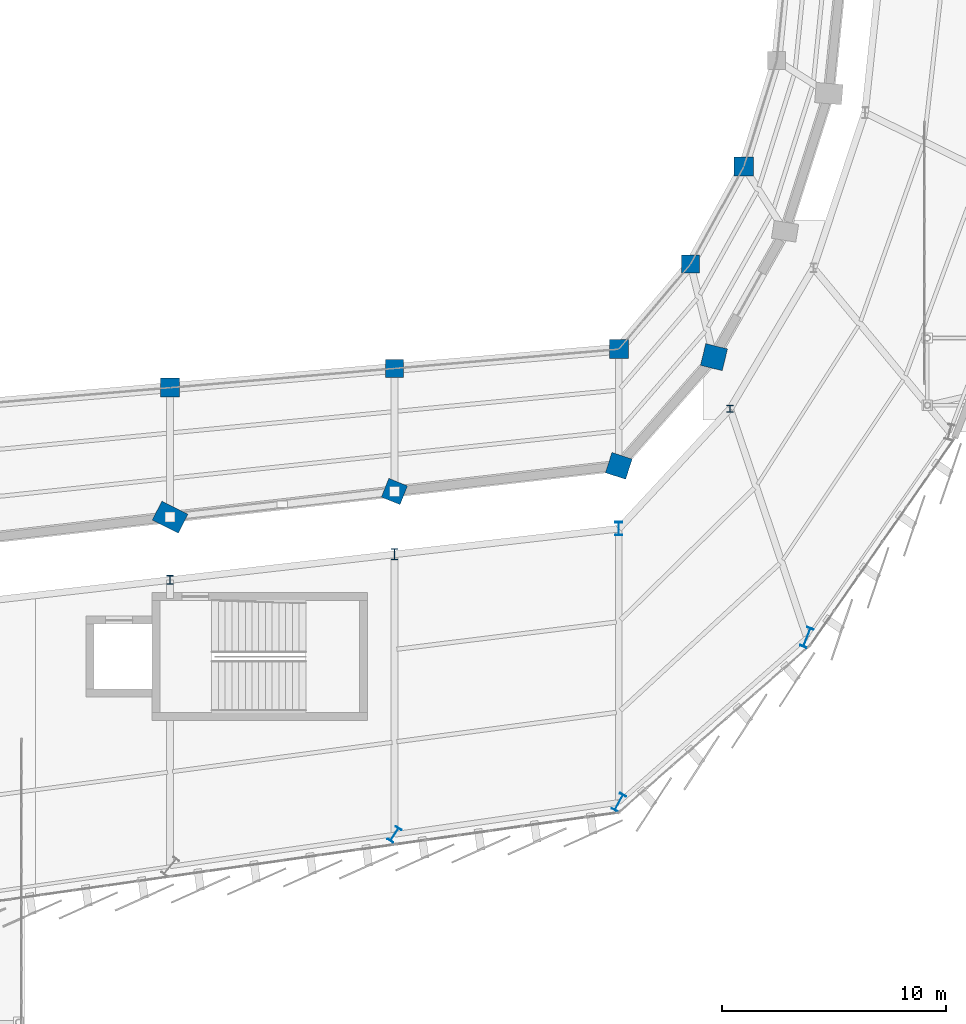
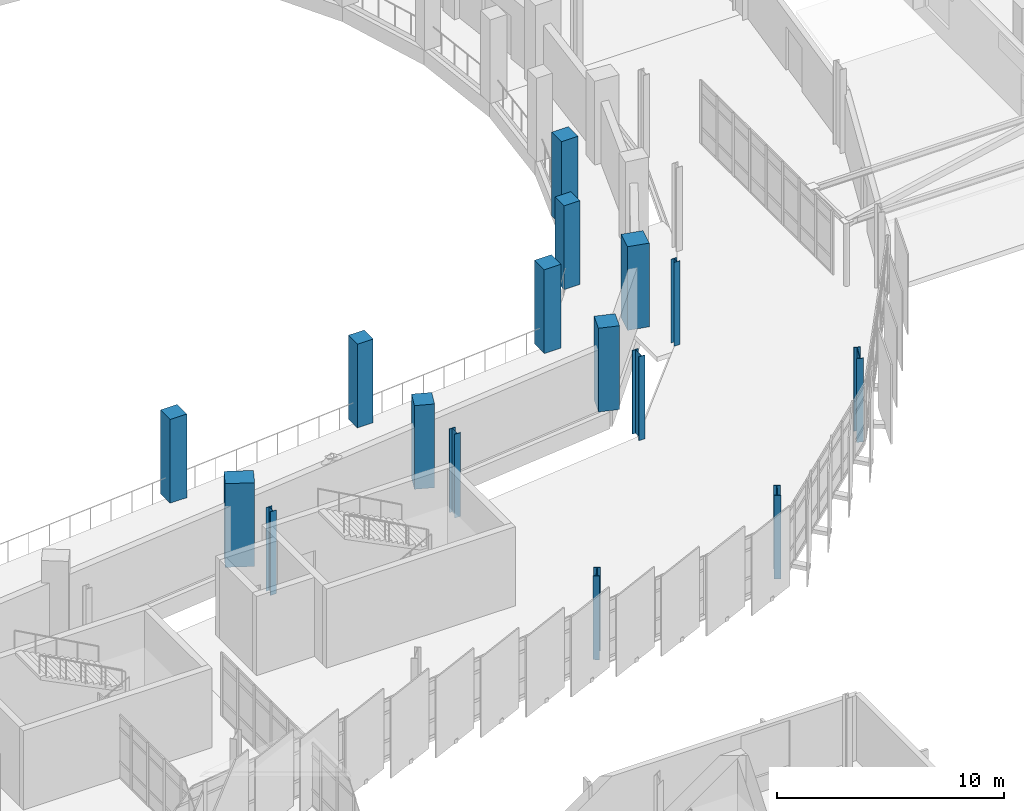
# One storey, part 19 of 125: 16 columns.
"""IFC4 building model written with IfcOpenShell, lengths in metres."""

from ifc_helpers import new_model, si_unit, direction, frame, origin, origin_2d, place, context, subcontext, project, spatial, rectangle, i_section, extrude, material, material_profile, profile_set, type_object, element, save


model = new_model("IFC4")

# Units and contexts
model_context = context("Model", 3, precision=1e-05, world=origin(), true_north=direction((0.0, 1.0)))
body_context = subcontext(model_context, "Body", "Model", "MODEL_VIEW")
ifc_project = project(units=[si_unit("LENGTHUNIT", "METRE"), si_unit("AREAUNIT", "SQUARE_METRE"), si_unit("VOLUMEUNIT", "CUBIC_METRE"), si_unit("PLANEANGLEUNIT", "RADIAN"), si_unit("MASSUNIT", "GRAM", prefix="KILO")], contexts=[model_context])

# Site, building, storey
site_placement = place(None, origin())
site = spatial("IfcSite", under=ifc_project, at=site_placement, CompositionType="ELEMENT")
building_placement = place(site_placement, origin())
building = spatial("IfcBuilding", under=site, at=building_placement, Name="Sohan Crest Arena", CompositionType="ELEMENT")
storey_placement = place(building_placement, frame((0.0, 0.0, 9.0)))
storey = spatial("IfcBuildingStorey", under=building, at=storey_placement, Name="L02", CompositionType="ELEMENT", Elevation=9.0)

# Columns
ifc_material_1 = material(Name="Concrete C40/50", Category="concrete")
ifc_material_profile_1 = material_profile(ifc_material_1, rectangle(XDim=0.800048828125, YDim=0.800048828125, at=origin_2d()), Name="RC 800x800")
ifc_profile_set_1 = profile_set([ifc_material_profile_1], Name="Concrete C40/50")
column_type_1 = type_object("IfcColumnType", Name="STR-COL-C05", PredefinedType="COLUMN", material=ifc_profile_set_1)
for number, where, z_axis, x_axis, name in (
    (1, (158.0, 59.343017578125, 0.0), (0.0, 0.0, 1.0), (1.0, 0.0, 0.0), "Structural column COL-V1M-19-L02"),
    (2, (171.194091796875, 63.988037109375, 0.0), (0.0, 0.0, 1.0), (1.0, 0.0, 0.0), "Structural column COL-V1M-21-L02"),
):
    element("IfcColumn", number, at=place(storey_placement, frame(where, z_axis=z_axis, x_axis=x_axis)), inside=storey, type_object=column_type_1, Name=name, PredefinedType="COLUMN", context=body_context, shape_type="SweptSolid", body=[
        extrude(rectangle(XDim=0.800048828125, YDim=0.800048828125, at=origin_2d()), origin(), (0.0, 0.0, 1.0), 4.5),
    ])
ifc_material_profile_2 = material_profile(ifc_material_1, rectangle(XDim=0.85009765625, YDim=0.85009765625, at=origin_2d()), Name="RC 850x850")
ifc_profile_set_2 = profile_set([ifc_material_profile_2], Name="Concrete C40/50")
column_type_2 = type_object("IfcColumnType", Name="STR-COL-C06", PredefinedType="COLUMN", material=ifc_profile_set_2)
for number, where, z_axis, x_axis, name in (
    (3, (148.0, 58.486083984375, 0.0), (0.0, 0.0, 1.0), (1.0, 0.0, 0.0), "Structural column COL-V1M-18-L02"),
    (4, (168.0, 60.199951171875, 0.0), (0.0, 0.0, 1.0), (1.0, 0.0, 0.0), "Structural column COL-V1M-20-L02"),
    (5, (173.571044921875, 68.3359375, 0.0), (0.0, 0.0, 1.0), (1.0, 0.0, 0.0), "Structural column COL-V1M-22-L02"),
):
    element("IfcColumn", number, at=place(storey_placement, frame(where, z_axis=z_axis, x_axis=x_axis)), inside=storey, type_object=column_type_2, Name=name, PredefinedType="COLUMN", context=body_context, shape_type="SweptSolid", body=[
        extrude(rectangle(XDim=0.85009765625, YDim=0.85009765625, at=origin_2d()), origin(), (0.0, 0.0, 1.0), 4.5),
    ])
ifc_material_profile_3 = material_profile(ifc_material_1, rectangle(XDim=0.89990234375, YDim=0.89990234375, at=origin_2d()), Name="RC 900x900")
ifc_profile_set_3 = profile_set([ifc_material_profile_3], Name="Concrete C40/50")
column_type_3 = type_object("IfcColumnType", Name="STR-COL-C07", PredefinedType="COLUMN", material=ifc_profile_set_3)
column_1_placement = place(storey_placement, frame((158.0, 53.85693359375, 0.0), z_axis=(0.0, 0.0, 1.0), x_axis=(-0.927836253899, 0.372987782576, 0.0)))
element("IfcColumn", 6, at=column_1_placement, inside=storey, type_object=column_type_3, Name="Structural column COL-V1R-19-L02", PredefinedType="COLUMN", context=body_context, shape_type="SweptSolid", body=[
    extrude(rectangle(XDim=0.89990234375, YDim=0.89990234375, at=origin_2d()), origin(), (0.0, 0.0, 1.0), 4.5),
])
ifc_material_profile_4 = material_profile(ifc_material_1, rectangle(XDim=0.949951171875, YDim=0.949951171875, at=origin_2d()), Name="RC 950x950")
ifc_profile_set_4 = profile_set([ifc_material_profile_4], Name="Concrete C40/50")
column_type_4 = type_object("IfcColumnType", Name="STR-COL-C08", PredefinedType="COLUMN", material=ifc_profile_set_4)
column_2_placement = place(storey_placement, frame((168.0, 55.0, 0.0), z_axis=(0.0, 0.0, 1.0), x_axis=(-0.949972051525, 0.312334918512, 0.0)))
element("IfcColumn", 7, at=column_2_placement, inside=storey, type_object=column_type_4, Name="Structural column COL-V1R-20-L02", PredefinedType="COLUMN", context=body_context, shape_type="SweptSolid", body=[
    extrude(rectangle(XDim=0.949951171875, YDim=0.949951171875, at=origin_2d()), origin(), (0.0, 0.0, 1.0), 4.5),
])
ifc_material_profile_5 = material_profile(ifc_material_1, rectangle(XDim=1.0, YDim=1.0, at=origin_2d()), Name="RC 1000x1000")
ifc_profile_set_5 = profile_set([ifc_material_profile_5], Name="Concrete C40/50")
column_type_5 = type_object("IfcColumnType", Name="STR-COL-C09", PredefinedType="COLUMN", material=ifc_profile_set_5)
column_3_placement = place(storey_placement, frame((172.242919921875, 59.845947265625, 0.0), z_axis=(0.0, 0.0, 1.0), x_axis=(-0.971549119998, 0.236838146066, 0.0)))
element("IfcColumn", 8, at=column_3_placement, inside=storey, type_object=column_type_5, Name="Structural column COL-V1R-21-L02", PredefinedType="COLUMN", context=body_context, shape_type="SweptSolid", body=[
    extrude(rectangle(XDim=1.0, YDim=1.0, at=origin_2d()), origin(), (0.0, 0.0, 1.0), 4.5),
])
ifc_material_profile_6 = material_profile(ifc_material_1, rectangle(XDim=1.300048828125, YDim=0.949951171875, at=origin_2d()), Name="RC 1300x950")
ifc_profile_set_6 = profile_set([ifc_material_profile_6], Name="Concrete C40/50")
column_type_6 = type_object("IfcColumnType", Name="STR-COL-C12", PredefinedType="COLUMN", material=ifc_profile_set_6)
column_4_placement = place(storey_placement, frame((148.0, 52.714111328125, 0.0), z_axis=(0.0, 0.0, 1.0), x_axis=(-0.892585818452, 0.450877540689, 0.0)))
element("IfcColumn", 9, at=column_4_placement, inside=storey, type_object=column_type_6, Name="Structural column COL-V1R-18-L02", PredefinedType="COLUMN", context=body_context, shape_type="SweptSolid", body=[
    extrude(rectangle(XDim=1.300048828125, YDim=0.949951171875, at=origin_2d()), origin(), (0.0, 0.0, 1.0), 4.5),
])
ifc_material_2 = material(Name="Steel S355", Category="steel")
ifc_material_profile_7 = material_profile(ifc_material_2, i_section(OverallWidth=0.300048828125, OverallDepth=0.300048828125, WebThickness=0.010986328125, FlangeThickness=0.01904296875, at=origin_2d()), Name="HEB 300")
ifc_profile_set_7 = profile_set([ifc_material_profile_7], Name="Steel S355")
column_type_7 = type_object("IfcColumnType", Name="STR-COL-C17", PredefinedType="COLUMN", material=ifc_profile_set_7)
column_5_placement = place(storey_placement, frame((172.9609375, 57.547119140625, 0.0), z_axis=(0.0, 0.0, 1.0), x_axis=(1.0, 0.0, 0.0)))
element("IfcColumn", 10, at=column_5_placement, inside=storey, type_object=column_type_7, Name="Structural column COL-V2I-21-L02", PredefinedType="COLUMN", context=body_context, shape_type="SweptSolid", body=[
    extrude(i_section(OverallWidth=0.300048828125, OverallDepth=0.300048828125, WebThickness=0.010986328125, FlangeThickness=0.01904296875, at=origin_2d()), origin(), (0.0, 0.0, 1.0), 4.5),
])
ifc_material_profile_8 = material_profile(ifc_material_2, i_section(OverallWidth=0.300048828125, OverallDepth=0.39990234375, WebThickness=0.013427734375, FlangeThickness=0.02392578125, at=origin_2d()), Name="HEB 400")
ifc_profile_set_8 = profile_set([ifc_material_profile_8], Name="Steel S355")
column_type_8 = type_object("IfcColumnType", Name="STR-COL-C18", PredefinedType="COLUMN", material=ifc_profile_set_8)
column_6_placement = place(storey_placement, frame((148.0, 49.9140625, 0.0), z_axis=(0.0, 0.0, 1.0), x_axis=(1.0, 0.0, 0.0)))
element("IfcColumn", 11, at=column_6_placement, inside=storey, type_object=column_type_8, Name="Structural column COL-V2I-18-L02", PredefinedType="COLUMN", context=body_context, shape_type="SweptSolid", body=[
    extrude(i_section(OverallWidth=0.300048828125, OverallDepth=0.39990234375, WebThickness=0.013427734375, FlangeThickness=0.02392578125, at=origin_2d()), origin(), (0.0, 0.0, 1.0), 4.5),
])
ifc_material_profile_9 = material_profile(ifc_material_2, i_section(OverallWidth=0.300048828125, OverallDepth=0.5, WebThickness=0.014404296875, FlangeThickness=0.028076171875, at=origin_2d()), Name="HEB 500")
ifc_profile_set_9 = profile_set([ifc_material_profile_9], Name="Steel S355")
column_type_9 = type_object("IfcColumnType", Name="STR-COL-C19", PredefinedType="COLUMN", material=ifc_profile_set_9)
column_7_placement = place(storey_placement, frame((158.0, 51.056884765625, 0.0), z_axis=(0.0, 0.0, 1.0), x_axis=(1.0, 0.0, 0.0)))
element("IfcColumn", 12, at=column_7_placement, inside=storey, type_object=column_type_9, Name="Structural column COL-V2I-19-L02", PredefinedType="COLUMN", context=body_context, shape_type="SweptSolid", body=[
    extrude(i_section(OverallWidth=0.300048828125, OverallDepth=0.5, WebThickness=0.014404296875, FlangeThickness=0.028076171875, at=origin_2d()), origin(), (0.0, 0.0, 1.0), 4.5),
])
ifc_material_profile_10 = material_profile(ifc_material_2, i_section(OverallWidth=0.300048828125, OverallDepth=0.60009765625, WebThickness=0.015380859375, FlangeThickness=0.030029296875, at=origin_2d()), Name="HEB 600")
ifc_profile_set_10 = profile_set([ifc_material_profile_10], Name="Steel S355")
column_type_10 = type_object("IfcColumnType", Name="STR-COL-C20", PredefinedType="COLUMN", material=ifc_profile_set_10)
column_8_placement = place(storey_placement, frame((168.0, 52.199951171875, 0.0), z_axis=(0.0, 0.0, 1.0), x_axis=(1.0, 0.0, 0.0)))
element("IfcColumn", 13, at=column_8_placement, inside=storey, type_object=column_type_10, Name="Structural column COL-V2I-20-L02", PredefinedType="COLUMN", context=body_context, shape_type="SweptSolid", body=[
    extrude(i_section(OverallWidth=0.300048828125, OverallDepth=0.60009765625, WebThickness=0.015380859375, FlangeThickness=0.030029296875, at=origin_2d()), origin(), (0.0, 0.0, 1.0), 4.5),
])
ifc_material_profile_11 = material_profile(ifc_material_2, i_section(OverallWidth=0.300048828125, OverallDepth=0.699951171875, WebThickness=0.01708984375, FlangeThickness=0.031982421875, at=origin_2d()), Name="HEB 700")
ifc_profile_set_11 = profile_set([ifc_material_profile_11], Name="Steel S355")
column_type_11 = type_object("IfcColumnType", Name="STR-COL-C21", PredefinedType="COLUMN", material=ifc_profile_set_11)
column_9_placement = place(storey_placement, frame((158.0, 38.571044921875, 0.0), z_axis=(0.0, 0.0, 1.0), x_axis=(-0.835807361368, 0.549022817998, 0.0)))
element("IfcColumn", 14, at=column_9_placement, inside=storey, type_object=column_type_11, Name="Structural column COL-V2O-19-L02", PredefinedType="COLUMN", context=body_context, shape_type="SweptSolid", body=[
    extrude(i_section(OverallWidth=0.300048828125, OverallDepth=0.699951171875, WebThickness=0.01708984375, FlangeThickness=0.031982421875, at=origin_2d()), origin(), (0.0, 0.0, 1.0), 4.5),
])
ifc_material_profile_12 = material_profile(ifc_material_2, i_section(OverallWidth=0.300048828125, OverallDepth=0.800048828125, WebThickness=0.017578125, FlangeThickness=0.032958984375, at=origin_2d()), Name="HEB 800")
ifc_profile_set_12 = profile_set([ifc_material_profile_12], Name="Steel S355")
column_type_12 = type_object("IfcColumnType", Name="STR-COL-C22", PredefinedType="COLUMN", material=ifc_profile_set_12)
column_10_placement = place(storey_placement, frame((168.0, 40.0, 0.0), z_axis=(0.0, 0.0, 1.0), x_axis=(-0.878817112662, 0.47715876026, 0.0)))
element("IfcColumn", 15, at=column_10_placement, inside=storey, type_object=column_type_12, Name="Structural column COL-V2O-20-L02", PredefinedType="COLUMN", context=body_context, shape_type="SweptSolid", body=[
    extrude(i_section(OverallWidth=0.300048828125, OverallDepth=0.800048828125, WebThickness=0.017578125, FlangeThickness=0.032958984375, at=origin_2d()), origin(), (0.0, 0.0, 1.0), 4.5),
])
ifc_material_profile_13 = material_profile(ifc_material_2, i_section(OverallWidth=0.300048828125, OverallDepth=0.89990234375, WebThickness=0.0185546875, FlangeThickness=0.034912109375, at=origin_2d()), Name="HEB 900")
ifc_profile_set_13 = profile_set([ifc_material_profile_13], Name="Steel S355")
column_type_13 = type_object("IfcColumnType", Name="STR-COL-C23", PredefinedType="COLUMN", material=ifc_profile_set_13)
column_11_placement = place(storey_placement, frame((176.383056640625, 47.35498046875, 0.0), z_axis=(0.0, 0.0, 1.0), x_axis=(-0.931055815863, 0.364876784338, 0.0)))
element("IfcColumn", 16, at=column_11_placement, inside=storey, type_object=column_type_13, Name="Structural column COL-V2O-21-L02", PredefinedType="COLUMN", context=body_context, shape_type="SweptSolid", body=[
    extrude(i_section(OverallWidth=0.300048828125, OverallDepth=0.89990234375, WebThickness=0.0185546875, FlangeThickness=0.034912109375, at=origin_2d()), origin(), (0.0, 0.0, 1.0), 4.5),
])

save(model, "model.ifc")
